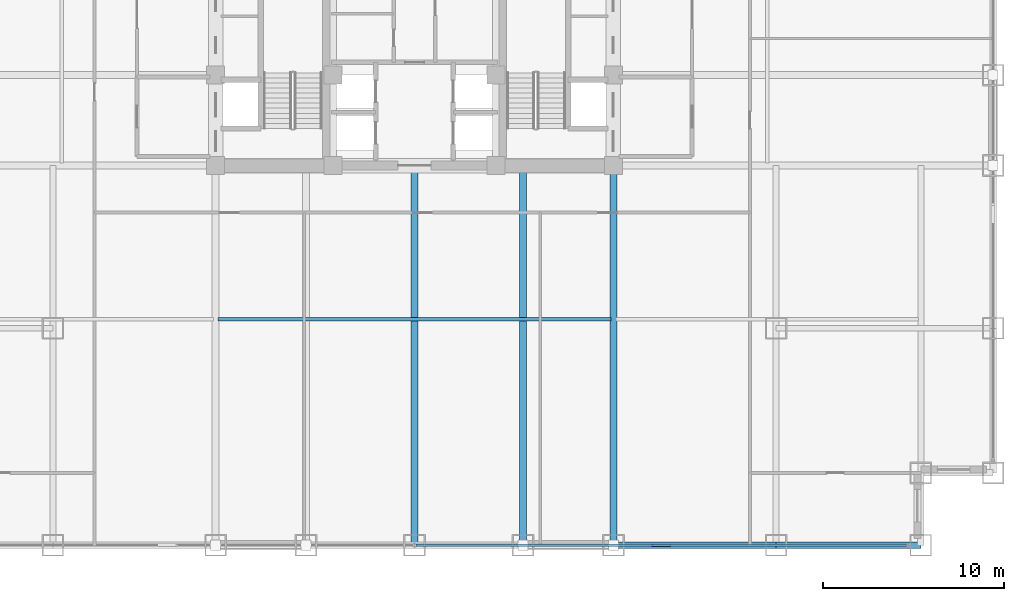
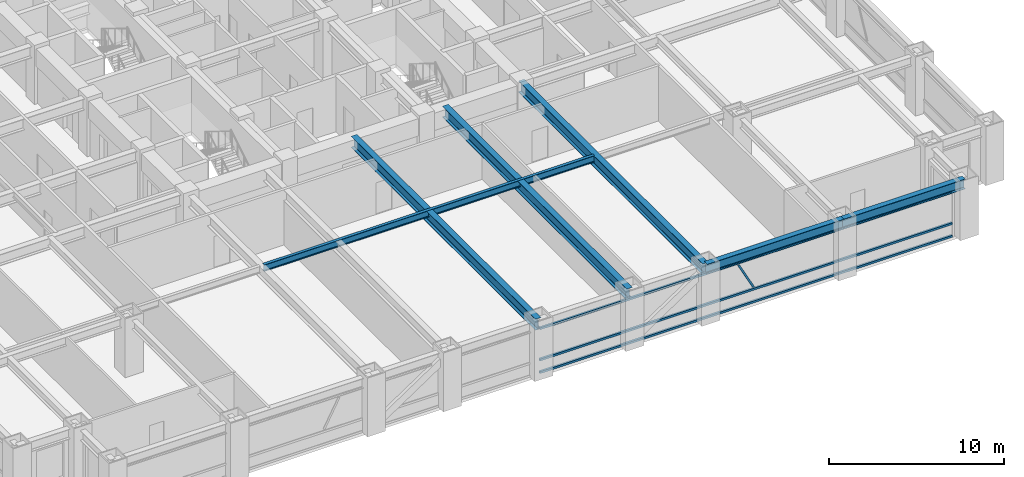
# One storey, part 5 of 27: 6 beams, 4 members, 1 element without a shape of its own.
"""IFC4 building model written with IfcOpenShell, lengths in metres."""

import ifcopenshell
import ifcopenshell.guid

model = None  # the IFC model being written
_history = None  # IfcOwnerHistory: only IFC2X3 demands one
_inside = {}  # id of a spatial element -> (the spatial element, [elements in it])
_under = {}  # id of a project, library or spatial element -> (it, [spatial elements below it])
_declared = {}  # id of a project -> (the project, [libraries it declares])
_typed = {}  # id of a type object -> (the type object, [elements of that type])
_made_of = {}  # id of a material, layer set ... -> (it, [elements and type objects made of it])


def new_model(schema):
    """Start an empty IFC model of exactly this schema.

    Asked for "IFC4X3", IfcOpenShell would pick the latest addendum, in which some entities
    have other attributes; the version numbers below select the first issue.
    IFC2X3 requires an IfcOwnerHistory on every rooted entity: one is made here for all.
    """
    global model, _history
    if schema == "IFC4X3":
        model = ifcopenshell.file(schema_version=(4, 3, 0, 0))
    else:
        model = ifcopenshell.file(schema=schema)
    _inside.clear()
    _under.clear()
    _declared.clear()
    _typed.clear()
    _made_of.clear()
    _history = None
    if model.schema == "IFC2X3":
        org = make("IfcOrganization", Name="unknown")
        user = make(
            "IfcPersonAndOrganization",
            ThePerson=make("IfcPerson", FamilyName="unknown"),
            TheOrganization=org,
        )
        app = make(
            "IfcApplication",
            ApplicationDeveloper=org,
            Version="unknown",
            ApplicationFullName="unknown",
            ApplicationIdentifier="unknown",
        )
        _history = make(
            "IfcOwnerHistory",
            OwningUser=user,
            OwningApplication=app,
            ChangeAction="ADDED",
            CreationDate=0,
        )
    return model


def make(cls, **values):
    """One entity of the class cls with the attributes given. An attribute that is None is left unset."""
    return model.create_entity(
        cls, **{name: value for name, value in values.items() if value is not None}
    )


def rooted(cls, **values):
    """An entity with a GlobalId (a new one), such as an element, a storey or a relation."""
    return make(cls, GlobalId=ifcopenshell.guid.new(), OwnerHistory=_history, **values)


def si_unit(unit_type, name, prefix=None):
    """IfcSIUnit, for example si_unit("LENGTHUNIT", "METRE", prefix="MILLI")."""
    return make("IfcSIUnit", UnitType=unit_type, Prefix=prefix, Name=name)


def assignment(units):
    """IfcUnitAssignment: the units of a project."""
    return None if units is None else make("IfcUnitAssignment", Units=units)


def point(xyz):
    """IfcCartesianPoint."""
    return None if xyz is None else make("IfcCartesianPoint", Coordinates=xyz)


def direction(xyz):
    """IfcDirection."""
    return None if xyz is None else make("IfcDirection", DirectionRatios=xyz)


def frame(location, z_axis=None, x_axis=None):
    """IfcAxis2Placement3D, a coordinate frame: its origin and axes. An axis left out is left unset."""
    return make(
        "IfcAxis2Placement3D",
        Location=point(location),
        Axis=direction(z_axis),
        RefDirection=direction(x_axis),
    )


def frame_2d(location, x_axis=None):
    """IfcAxis2Placement2D, a coordinate frame in the plane: its origin and x axis."""
    return make(
        "IfcAxis2Placement2D", Location=point(location), RefDirection=direction(x_axis)
    )


def origin():
    """The frame at (0, 0, 0) with its axes left unset."""
    return frame((0.0, 0.0, 0.0))


def origin_2d():
    """The frame at (0, 0) in the plane with its x axis left unset."""
    return frame_2d((0.0, 0.0))


def place(relative_to, where):
    """IfcLocalPlacement: puts the frame where relative to a parent placement (None: the world)."""
    return make(
        "IfcLocalPlacement", PlacementRelTo=relative_to, RelativePlacement=where
    )


def context(
    kind, dimensions, precision=None, world=None, true_north=None, identifier=None
):
    """IfcGeometricRepresentationContext, for example the 3D "Model" context."""
    return make(
        "IfcGeometricRepresentationContext",
        ContextIdentifier=identifier,
        ContextType=kind,
        CoordinateSpaceDimension=dimensions,
        Precision=precision,
        WorldCoordinateSystem=world,
        TrueNorth=true_north,
    )


def subcontext(parent, identifier, kind, view, scale=None):
    """IfcGeometricRepresentationSubContext, for example "Body" below "Model"."""
    return make(
        "IfcGeometricRepresentationSubContext",
        ContextIdentifier=identifier,
        ContextType=kind,
        ParentContext=parent,
        TargetScale=scale,
        TargetView=view,
    )


def project(units=None, contexts=None):
    """IfcProject with its units and contexts."""
    return rooted(
        "IfcProject",
        Name="project",
        RepresentationContexts=contexts,
        UnitsInContext=assignment(units),
    )


def spatial(cls, under=None, at=None, **own):
    """A site, building, storey or space (cls), placed at a placement, below another one or the project."""
    s = rooted(cls, ObjectPlacement=at, **own)
    if under is not None:
        _under.setdefault(under.id(), (under, []))[1].append(s)
    return s


def profile(cls, at=None, kind="AREA", **sizes):
    """A parametric profile (cls). Its sizes go by their IFC names, for example OverallWidth=200.0."""
    return make(cls, ProfileType=kind, Position=at, **sizes)


def hollow_rectangle(**sizes):
    """IfcRectangleHollowProfileDef."""
    return profile("IfcRectangleHollowProfileDef", **sizes)


def i_section(**sizes):
    """IfcIShapeProfileDef."""
    return profile("IfcIShapeProfileDef", **sizes)


def extrude(swept, where, along, depth):
    """IfcExtrudedAreaSolid: the profile swept, set in the frame where, extruded along a direction by depth."""
    return make(
        "IfcExtrudedAreaSolid",
        SweptArea=swept,
        Position=where,
        ExtrudedDirection=direction(along),
        Depth=depth,
    )


def shape(context_of_items, identifier, shape_type, items):
    """IfcShapeRepresentation: the items that make up one representation, for example the "Body"."""
    return make(
        "IfcShapeRepresentation",
        ContextOfItems=context_of_items,
        RepresentationIdentifier=identifier,
        RepresentationType=shape_type,
        Items=items,
    )


def source(mapping_origin, context_of_items, identifier, shape_type, items):
    """IfcRepresentationMap: a shape defined once, which mapped items show again and again."""
    return make(
        "IfcRepresentationMap",
        MappingOrigin=mapping_origin,
        MappedRepresentation=shape(context_of_items, identifier, shape_type, items),
    )


def transform(
    local_origin,
    x_axis=None,
    y_axis=None,
    z_axis=None,
    scale=None,
    scale2=None,
    scale3=None,
    uniform=True,
):
    """IfcCartesianTransformationOperator3D, or its non-uniform kind. x_axis, y_axis, z_axis: its Axis1, 2, 3."""
    if uniform:
        return make(
            "IfcCartesianTransformationOperator3D",
            Axis1=direction(x_axis),
            Axis2=direction(y_axis),
            LocalOrigin=point(local_origin),
            Scale=scale,
            Axis3=direction(z_axis),
        )
    return make(
        "IfcCartesianTransformationOperator3DnonUniform",
        Axis1=direction(x_axis),
        Axis2=direction(y_axis),
        LocalOrigin=point(local_origin),
        Scale=scale,
        Axis3=direction(z_axis),
        Scale2=scale2,
        Scale3=scale3,
    )


def mapped(mapping_source, mapping_target):
    """IfcMappedItem: shows the shape of a source again, moved by a transform."""
    return make(
        "IfcMappedItem", MappingSource=mapping_source, MappingTarget=mapping_target
    )


def material(Name=None, Category=None):
    """IfcMaterial."""
    return make("IfcMaterial", Name=Name, Category=Category)


def material_profile(
    of_material, cross_section, Name=None, Category=None, Priority=None
):
    """IfcMaterialProfile: a cross section and its material."""
    return make(
        "IfcMaterialProfile",
        Name=Name,
        Material=of_material,
        Profile=cross_section,
        Priority=Priority,
        Category=Category,
    )


def profile_set(profiles, Name=None, composite=None):
    """IfcMaterialProfileSet."""
    return make(
        "IfcMaterialProfileSet",
        Name=Name,
        MaterialProfiles=profiles,
        CompositeProfile=composite,
    )


def made_of(thing, what):
    """Note that an element or type object is made of a material, layer set ...; save() writes the relation."""
    if what is not None:
        _made_of.setdefault(what.id(), (what, []))[1].append(thing)
    return thing


def type_object(cls, material=None, **own):
    """A type object (cls), such as IfcWallType, which elements share."""
    return made_of(rooted(cls, **own), material)


def element(
    cls,
    number,
    at=None,
    inside=None,
    cuts=None,
    type_object=None,
    material=None,
    context=None,
    identifier="Body",
    shape_type=None,
    held_by="IfcProductDefinitionShape",
    body=None,
    shapes=None,
    **own,
):
    """One element of the class cls, such as IfcWall. Its Tag is "e" and its number.

    at: its placement. inside: the storey or other place that contains it. cuts: it is an
    opening in that element (IfcRelVoidsElement). A single representation is given by context,
    identifier, shape_type and body (its items); several are given by shapes. held_by: the class
    of the entity that holds the representations. save() writes the other relations.
    """
    e = rooted(cls, Tag="e%d" % number, ObjectPlacement=at, **own)
    if body is not None:
        shapes = [shape(context, identifier, shape_type, body)]
    if shapes is not None:
        e.Representation = make(held_by, Representations=shapes)
    if inside is not None:
        _inside.setdefault(inside.id(), (inside, []))[1].append(e)
    if cuts is not None:
        rooted(
            "IfcRelVoidsElement", RelatingBuildingElement=cuts, RelatedOpeningElement=e
        )
    if type_object is not None:
        _typed.setdefault(type_object.id(), (type_object, []))[1].append(e)
    return made_of(e, material)


def aggregate(whole, parts):
    """IfcRelAggregates: a whole, such as a stair, and the parts it consists of."""
    return rooted("IfcRelAggregates", RelatingObject=whole, RelatedObjects=parts)


def save(model, path):
    """Write the relations noted so far, then the file.

    IfcRelAggregates (storeys below a building ...), IfcRelContainedInSpatialStructure (elements
    in a storey), IfcRelDefinesByType, IfcRelAssociatesMaterial and IfcRelDeclares: one each for
    every whole, place, type object, material and project.
    """
    for whole, parts in _under.values():
        aggregate(whole, parts)
    for where, things in _inside.values():
        rooted(
            "IfcRelContainedInSpatialStructure",
            RelatedElements=things,
            RelatingStructure=where,
        )
    for kind, things in _typed.values():
        rooted("IfcRelDefinesByType", RelatedObjects=things, RelatingType=kind)
    for what, things in _made_of.values():
        rooted("IfcRelAssociatesMaterial", RelatedObjects=things, RelatingMaterial=what)
    for by, libraries in _declared.values():
        rooted("IfcRelDeclares", RelatingContext=by, RelatedDefinitions=libraries)
    model.write(path)


model = new_model("IFC4")

# Units and contexts
model_context = context("Model", 3, precision=1e-05, world=origin(), true_north=direction((0.0, 1.0)))
body_context = subcontext(model_context, "Body", "Model", "MODEL_VIEW")
ifc_project = project(units=[si_unit("LENGTHUNIT", "METRE"), si_unit("AREAUNIT", "SQUARE_METRE"), si_unit("VOLUMEUNIT", "CUBIC_METRE"), si_unit("PLANEANGLEUNIT", "RADIAN"), si_unit("MASSUNIT", "GRAM", prefix="KILO")], contexts=[model_context])

# Site, building, storey
site_placement = place(None, origin())
site = spatial("IfcSite", under=ifc_project, at=site_placement, CompositionType="ELEMENT")
building_placement = place(site_placement, origin())
building = spatial("IfcBuilding", under=site, at=building_placement, Name="Khorayat Bourse Tower", CompositionType="ELEMENT")
storey_placement = place(building_placement, frame((0.0, 0.0, 107.800048828125)))
storey = spatial("IfcBuildingStorey", under=building, at=storey_placement, Name="L24", CompositionType="ELEMENT", Elevation=107.800048828125)

# Beams
ifc_material_1 = material(Name="Steel ASTM A992 Grade 50", Category="steel")
ifc_material_profile_1 = material_profile(ifc_material_1, i_section(OverallWidth=0.35498046875, OverallDepth=0.695068359375, WebThickness=0.015380859375, FlangeThickness=0.02490234375, FilletRadius=0.01806640625, at=origin_2d()), Name="W690X217")
ifc_profile_set_1 = profile_set([ifc_material_profile_1], Name="Steel ASTM A992 Grade 50")
beam_type_1 = type_object("IfcBeamType", Name="BM-SPAN-690", PredefinedType="SPANDREL", material=ifc_profile_set_1)
shared_shape_1 = source(origin(), body_context, "Body", "SweptSolid", [
    extrude(i_section(OverallWidth=0.35498046875, OverallDepth=0.695068359375, WebThickness=0.015380859375, FlangeThickness=0.02490234375, FilletRadius=0.01806640625, at=origin_2d()), origin(), (0.0, 0.0, 1.0), 9.0),
])
beam_1_placement = place(storey_placement, frame((11.0, -32.0, 3.492431640625), z_axis=(1.0, 0.0, 0.0), x_axis=(0.0, 1.0, 0.0)))
element("IfcBeam", 1, at=beam_1_placement, inside=storey, type_object=beam_type_1, Name="L24 BM-SPAN-690 BM-L24-SPN-030", PredefinedType="SPANDREL", context=body_context, shape_type="MappedRepresentation", body=[
    mapped(shared_shape_1, transform((0.0, 0.0, 0.0), scale=1.0)),
])
ifc_material_profile_2 = material_profile(ifc_material_1, i_section(OverallWidth=0.194091796875, OverallDepth=0.468994140625, WebThickness=0.0126953125, FlangeThickness=0.0205078125, FilletRadius=0.012939453125, at=origin_2d()), Name="W460X106")
ifc_profile_set_2 = profile_set([ifc_material_profile_2], Name="Steel ASTM A992 Grade 50")
beam_type_2 = type_object("IfcBeamType", Name="BM-JOIST-460", PredefinedType="JOIST", material=ifc_profile_set_2)
shared_shape_2 = source(origin(), body_context, "Body", "SweptSolid", [
    extrude(i_section(OverallWidth=0.194091796875, OverallDepth=0.468994140625, WebThickness=0.0126953125, FlangeThickness=0.0205078125, FilletRadius=0.012939453125, at=origin_2d()), origin(), (0.0, 0.0, 1.0), 21.740234375),
])
beam_2_placement = place(storey_placement, frame((-10.8701171875, -19.5, 3.60546875), z_axis=(1.0, 0.0, 0.0), x_axis=(0.0, 1.0, 0.0)))
element("IfcBeam", 2, at=beam_2_placement, inside=storey, type_object=beam_type_2, Name="L24 BM-JOIST-460 BM-L24-JSTX-097", PredefinedType="JOIST", context=body_context, shape_type="MappedRepresentation", body=[
    mapped(shared_shape_2, transform((0.0, 0.0, 0.0), scale=1.0)),
])
shared_shape_3 = source(origin(), body_context, "Body", "SweptSolid", [
    extrude(i_section(OverallWidth=0.35498046875, OverallDepth=0.695068359375, WebThickness=0.015380859375, FlangeThickness=0.02490234375, FilletRadius=0.01806640625, at=origin_2d()), origin(), (0.0, 0.0, 1.0), 8.0),
])
beam_3_placement = place(storey_placement, frame((20.0, -32.0, 3.492431640625), z_axis=(1.0, 0.0, 0.0), x_axis=(0.0, 1.0, 0.0)))
element("IfcBeam", 3, at=beam_3_placement, inside=storey, type_object=beam_type_1, Name="L24 BM-SPAN-690 BM-L24-SPN-031", PredefinedType="SPANDREL", context=body_context, shape_type="MappedRepresentation", body=[
    mapped(shared_shape_3, transform((0.0, 0.0, 0.0), scale=1.0)),
])
ifc_material_profile_3 = material_profile(ifc_material_1, i_section(OverallWidth=0.381103515625, OverallDepth=0.77294921875, WebThickness=0.0166015625, FlangeThickness=0.027587890625, FilletRadius=0.01806640625, at=origin_2d()), Name="W760X257")
ifc_profile_set_3 = profile_set([ifc_material_profile_3], Name="Steel ASTM A992 Grade 50")
beam_type_3 = type_object("IfcBeamType", Name="BM-GIRD-760", PredefinedType="BEAM", material=ifc_profile_set_3)
shared_shape_4 = source(origin(), body_context, "Body", "SweptSolid", [
    extrude(i_section(OverallWidth=0.381103515625, OverallDepth=0.77294921875, WebThickness=0.0166015625, FlangeThickness=0.027587890625, FilletRadius=0.01806640625, at=origin_2d()), origin(), (0.0, 0.0, 1.0), 21.0),
])
for number, where, z_axis, x_axis, name in (
    (4, (0.0, -32.0, 3.453369140625), (0.0, 1.0, 0.0), (-1.0, 0.0, 0.0), "L24 BM-GIRD-760 BM-L24-RADY-069"),
    (5, (6.0, -32.0, 3.453369140625), (0.0, 1.0, 0.0), (-1.0, 0.0, 0.0), "L24 BM-GIRD-760 BM-L24-RADY-071"),
    (6, (11.0, -32.0, 3.453369140625), (0.0, 1.0, 0.0), (-1.0, 0.0, 0.0), "L24 BM-GIRD-760 BM-L24-RADY-073"),
):
    element("IfcBeam", number, at=place(storey_placement, frame(where, z_axis=z_axis, x_axis=x_axis)), inside=storey, type_object=beam_type_3, Name=name, PredefinedType="BEAM", context=body_context, shape_type="MappedRepresentation", body=[
        mapped(shared_shape_4, transform((0.0, 0.0, 0.0), scale=1.0)),
    ])

# Curtain wall, members
ifc_material_2 = material(Name="Aluminium EN AW-6063 T6", Category="aluminium")
curtain_wall_type = type_object("IfcCurtainWallType", Name="CW-SYS-02", PredefinedType="NOTDEFINED", material=ifc_material_2)
curtain_wall_placement = place(storey_placement, origin())
curtain_wall = element("IfcCurtainWall", 7, at=curtain_wall_placement, inside=storey, type_object=curtain_wall_type, Name="L24 Curtain Wall CW-L24-S1", PredefinedType="NOTDEFINED")
ifc_material_profile_4 = material_profile(ifc_material_2, hollow_rectangle(XDim=0.139892578125, YDim=0.139892578125, WallThickness=0.006103515625, at=origin_2d()), Name="ALU 140x140x6")
ifc_profile_set_4 = profile_set([ifc_material_profile_4], Name="Aluminium EN AW-6063 T6")
member_type_1 = type_object("IfcMemberType", Name="CWT-HORZ-140", PredefinedType="USERDEFINED", material=ifc_profile_set_4)
shared_shape_5 = source(origin(), body_context, "Body", "SweptSolid", [
    extrude(hollow_rectangle(XDim=0.139892578125, YDim=0.139892578125, WallThickness=0.006103515625, at=origin_2d()), origin(), (0.0, 0.0, 1.0), 27.139892578125),
])
member_1_placement = place(storey_placement, frame((0.070068359375, -32.0, 0.070068359375), z_axis=(1.0, 0.0, 0.0), x_axis=(0.0, 1.0, 0.0)))
member_1 = element("IfcMember", 8, at=member_1_placement, type_object=member_type_1, Name="CW-L24-S1 Horizontal Transom 2-1", ObjectType="TRANSOM", PredefinedType="USERDEFINED", context=body_context, shape_type="MappedRepresentation", body=[
    mapped(shared_shape_5, transform((0.0, 0.0, 0.0), scale=1.0)),
])
member_2_placement = place(storey_placement, frame((0.070068359375, -32.0, 0.949951171875), z_axis=(1.0, 0.0, 0.0), x_axis=(0.0, 1.0, 0.0)))
member_2 = element("IfcMember", 9, at=member_2_placement, type_object=member_type_1, Name="CW-L24-S1 Horizontal Transom 2-2", ObjectType="TRANSOM", PredefinedType="USERDEFINED", context=body_context, shape_type="MappedRepresentation", body=[
    mapped(shared_shape_5, transform((0.0, 0.0, 0.0), scale=1.0)),
])
member_3_placement = place(storey_placement, frame((0.070068359375, -32.0, 3.119873046875), z_axis=(1.0, 0.0, 0.0), x_axis=(0.0, 1.0, 0.0)))
member_3 = element("IfcMember", 10, at=member_3_placement, type_object=member_type_1, Name="CW-L24-S1 Horizontal Transom 2-3", ObjectType="TRANSOM", PredefinedType="USERDEFINED", context=body_context, shape_type="MappedRepresentation", body=[
    mapped(shared_shape_5, transform((0.0, 0.0, 0.0), scale=1.0)),
])
ifc_material_profile_5 = material_profile(ifc_material_2, hollow_rectangle(XDim=0.1201171875, YDim=0.1201171875, WallThickness=0.0048828125, at=origin_2d()), Name="ALU 120x120x5")
ifc_profile_set_5 = profile_set([ifc_material_profile_5], Name="Aluminium EN AW-6063 T6")
member_type_2 = type_object("IfcMemberType", Name="CWM-DIAG-120", PredefinedType="MULLION", material=ifc_profile_set_5)
shared_shape_6 = source(origin(), body_context, "Body", "SweptSolid", [
    extrude(hollow_rectangle(XDim=0.1201171875, YDim=0.1201171875, WallThickness=0.0048828125, at=origin_2d()), origin(), (0.0, 0.0, 1.0), 2.11328125),
])
member_4_placement = place(storey_placement, frame((14.132080078125, -32.0, 1.099853515625), z_axis=(-0.465694055905, 0.0, 0.884945787207), x_axis=(0.0, -1.0, 0.0)))
member_4 = element("IfcMember", 11, at=member_4_placement, type_object=member_type_2, Name="CW-L24-S1 Faceted Diagonal Mullion 2", PredefinedType="MULLION", context=body_context, shape_type="MappedRepresentation", body=[
    mapped(shared_shape_6, transform((0.0, 0.0, 0.0), scale=1.0)),
])
aggregate(curtain_wall, [member_1, member_2, member_3, member_4])

save(model, "model.ifc")
